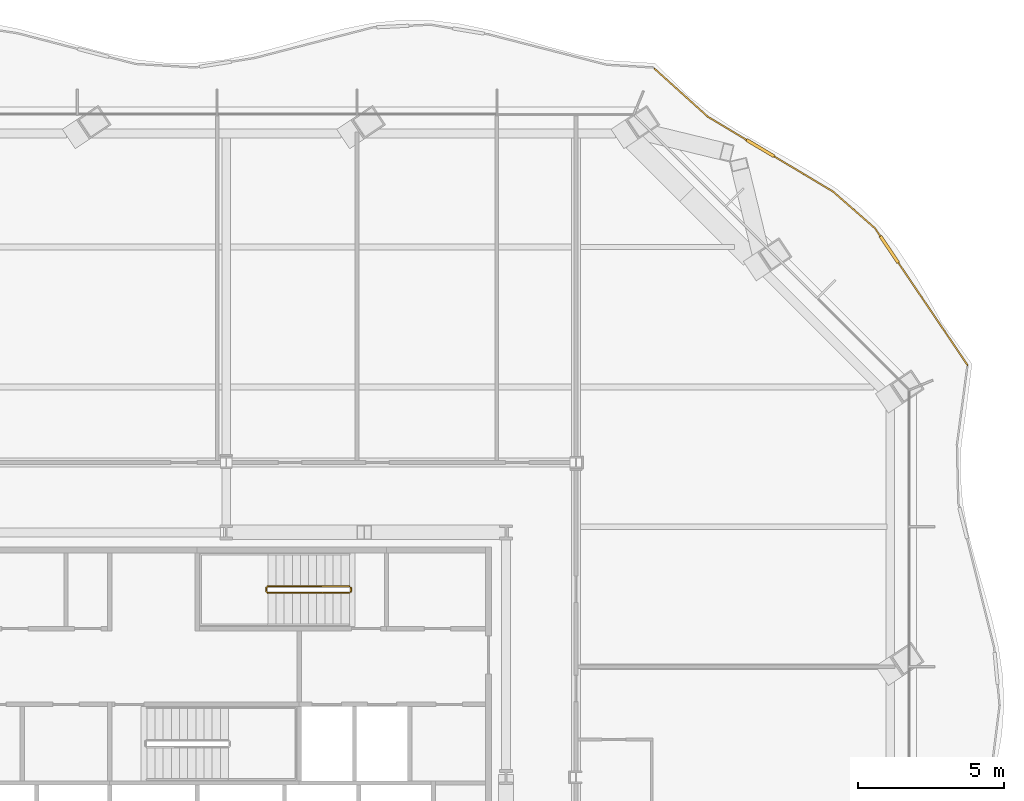
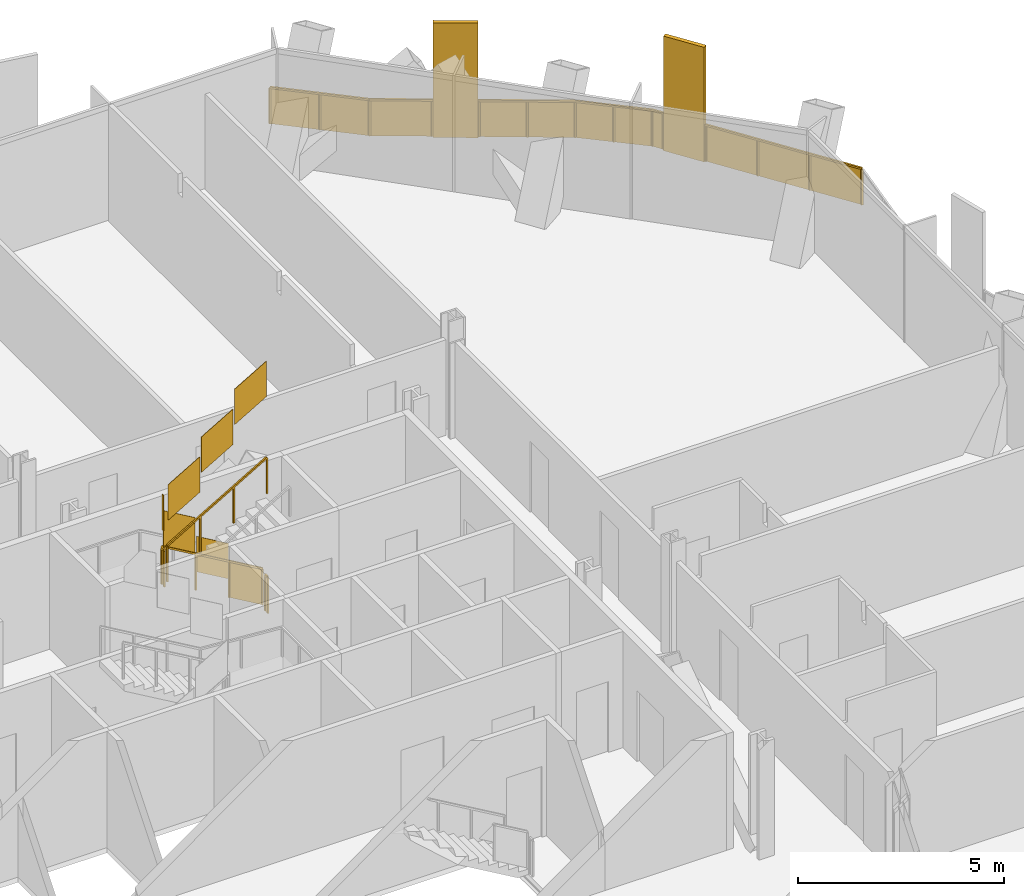
# One storey, part 19 of 19: 3 railings.
"""IFC4 building model written with IfcOpenShell, lengths in metres."""

from ifc_helpers import new_model, si_unit, direction, frame, origin, origin_2d, place, context, subcontext, project, spatial, polyline, rectangle, outline, extrude, material, type_object, element, save


model = new_model("IFC4")

# Units and contexts
model_context = context("Model", 3, precision=1e-05, world=origin(), true_north=direction((0.0, 1.0)))
body_context = subcontext(model_context, "Body", "Model", "MODEL_VIEW")
ifc_project = project(units=[si_unit("LENGTHUNIT", "METRE"), si_unit("AREAUNIT", "SQUARE_METRE"), si_unit("VOLUMEUNIT", "CUBIC_METRE"), si_unit("PLANEANGLEUNIT", "RADIAN"), si_unit("MASSUNIT", "GRAM", prefix="KILO")], contexts=[model_context])

# Site, building, storey
site_placement = place(None, origin())
site = spatial("IfcSite", under=ifc_project, at=site_placement, CompositionType="ELEMENT")
building_placement = place(site_placement, origin())
building = spatial("IfcBuilding", under=site, at=building_placement, Name="Cairn Pilgrim Tower", CompositionType="ELEMENT")
storey_placement = place(building_placement, frame((0.0, 0.0, 97.800048828125)))
storey = spatial("IfcBuildingStorey", under=building, at=storey_placement, Name="L23", CompositionType="ELEMENT", Elevation=97.800048828125)

# Railings
ifc_material_1 = material(Name="Bronze anodised aluminium rail, posts and fin screens with laminated glass infill", Category="aluminium")
railing_type_1 = type_object("IfcRailingType", Name="BALCONY GUARD WITH FIN SCREENS", PredefinedType="GUARDRAIL", material=ifc_material_1)
railing_1_placement = place(storey_placement, frame((32.63427734375, 16.54296875, 0.0)))
element("IfcRailing", 1, at=railing_1_placement, inside=storey, type_object=railing_type_1, Name="Balcony guard BGF-4 with fin screens", PredefinedType="GUARDRAIL", context=body_context, shape_type="SweptSolid", body=[
    extrude(rectangle(XDim=1.10009765625, YDim=0.110107421875, at=origin_2d()), frame((-2.681396484375, 3.964599609375, 0.0), z_axis=(0.0, 0.0, 1.0), x_axis=(-0.56022761993, 0.828338707213, 0.0)), (0.0, 0.0, 1.0), 3.39990234375),
    extrude(rectangle(XDim=0.050048828125, YDim=0.050048828125, at=origin_2d()), frame((0.0, 0.0, 1.0751953125), z_axis=(-0.56022761993, 0.828338707213, 0.0), x_axis=(-0.828338707213, -0.56022761993, 0.0)), (0.0, 0.0, 1.0), 4.236083984375),
    extrude(rectangle(XDim=0.050048828125, YDim=0.050048828125, at=origin_2d()), frame((-2.989501953125, 4.420166015625, 1.0751953125), z_axis=(-0.56022761993, 0.828338707213, 0.0), x_axis=(-0.828338707213, -0.56022761993, 0.0)), (0.0, 0.0, 1.0), 0.32861328125),
    extrude(rectangle(XDim=0.050048828125, YDim=0.050048828125, at=origin_2d()), frame((-3.173583984375, 4.6923828125, 1.0751953125), z_axis=(-0.75249754684, 0.658595051606, 0.0), x_axis=(-0.658595051606, -0.75249754684, 0.0)), (0.0, 0.0, 1.0), 1.910888671875),
    extrude(rectangle(XDim=1.10009765625, YDim=0.110107421875, at=origin_2d()), frame((-7.107666015625, 7.442138671875, 0.0), z_axis=(0.0, 0.0, 1.0), x_axis=(-0.858451928662, 0.512894030163, 0.0)), (0.0, 0.0, 1.0), 3.39990234375),
    extrude(rectangle(XDim=0.050048828125, YDim=0.050048828125, at=origin_2d()), frame((-4.611572265625, 5.950927734375, 1.0751953125), z_axis=(-0.858451928662, 0.512894030163, 0.0), x_axis=(-0.512894030163, -0.858451928662, 0.0)), (0.0, 0.0, 1.0), 2.357666015625),
    extrude(rectangle(XDim=0.050048828125, YDim=0.050048828125, at=origin_2d()), frame((-7.579833984375, 7.724365234375, 1.0751953125), z_axis=(-0.858451928662, 0.512894030163, 0.0), x_axis=(-0.512894030163, -0.858451928662, 0.0)), (0.0, 0.0, 1.0), 1.543701171875),
    extrude(rectangle(XDim=0.050048828125, YDim=0.050048828125, at=origin_2d()), frame((-8.905029296875, 8.51611328125, 1.0751953125), z_axis=(-0.742974523661, 0.669319697297, 0.0), x_axis=(-0.669319697297, -0.742974523661, 0.0)), (0.0, 0.0, 1.0), 2.469482421875),
    extrude(rectangle(XDim=0.050048828125, YDim=0.050048828125, at=origin_2d()), origin(), (0.0, 0.0, 1.0), 1.050048828125),
    extrude(rectangle(XDim=0.050048828125, YDim=0.050048828125, at=origin_2d()), frame((-0.786376953125, 1.162841796875, 0.0)), (0.0, 0.0, 1.0), 1.050048828125),
    extrude(rectangle(XDim=0.050048828125, YDim=0.050048828125, at=origin_2d()), frame((-1.57275390625, 2.325439453125, 0.0)), (0.0, 0.0, 1.0), 1.050048828125),
    extrude(rectangle(XDim=0.050048828125, YDim=0.050048828125, at=origin_2d()), frame((-2.359130859375, 3.48828125, 0.0)), (0.0, 0.0, 1.0), 1.050048828125),
    extrude(rectangle(XDim=0.050048828125, YDim=0.050048828125, at=origin_2d()), frame((-3.00341796875, 4.44091796875, 0.0)), (0.0, 0.0, 1.0), 1.050048828125),
    extrude(rectangle(XDim=0.050048828125, YDim=0.050048828125, at=origin_2d()), frame((-3.173583984375, 4.6923828125, 0.0)), (0.0, 0.0, 1.0), 1.050048828125),
    extrude(rectangle(XDim=0.050048828125, YDim=0.050048828125, at=origin_2d()), frame((-3.892578125, 5.32177734375, 0.0)), (0.0, 0.0, 1.0), 1.050048828125),
    extrude(rectangle(XDim=0.050048828125, YDim=0.050048828125, at=origin_2d()), frame((-4.611572265625, 5.950927734375, 0.0)), (0.0, 0.0, 1.0), 1.050048828125),
    extrude(rectangle(XDim=0.050048828125, YDim=0.050048828125, at=origin_2d()), frame((-5.61279296875, 6.549072265625, 0.0)), (0.0, 0.0, 1.0), 1.050048828125),
    extrude(rectangle(XDim=0.050048828125, YDim=0.050048828125, at=origin_2d()), frame((-6.614013671875, 7.147216796875, 0.0)), (0.0, 0.0, 1.0), 1.050048828125),
    extrude(rectangle(XDim=0.050048828125, YDim=0.050048828125, at=origin_2d()), frame((-7.601318359375, 7.737060546875, 0.0)), (0.0, 0.0, 1.0), 1.050048828125),
    extrude(rectangle(XDim=0.050048828125, YDim=0.050048828125, at=origin_2d()), frame((-8.905029296875, 8.51611328125, 0.0)), (0.0, 0.0, 1.0), 1.050048828125),
    extrude(rectangle(XDim=0.050048828125, YDim=0.050048828125, at=origin_2d()), frame((-9.822265625, 9.342529296875, 0.0)), (0.0, 0.0, 1.0), 1.050048828125),
    extrude(rectangle(XDim=0.050048828125, YDim=0.050048828125, at=origin_2d()), frame((-10.73974609375, 10.1689453125, 0.0)), (0.0, 0.0, 1.0), 1.050048828125),
    extrude(outline(polyline([(0.02490234375, 0.0), (1.378662109375, 0.0), (1.378662109375, 1.050048828125), (0.02490234375, 1.050048828125), (0.02490234375, 0.0)])), frame((-0.0048828125, -0.00341796875, 0.0), z_axis=(0.828338707213, 0.56022761993, 0.0), x_axis=(-0.56022761993, 0.828338707213, 0.0)), (0.0, 0.0, 1.0), 0.011962890625),
    extrude(outline(polyline([(0.02490234375, 0.0), (1.378662109375, 0.0), (1.378662109375, 1.050048828125), (0.02490234375, 1.050048828125), (0.02490234375, 0.0)])), frame((-0.791259765625, 1.159423828125, 0.0), z_axis=(0.828338707213, 0.56022761993, 0.0), x_axis=(-0.56022761993, 0.828338707213, 0.0)), (0.0, 0.0, 1.0), 0.011962890625),
    extrude(outline(polyline([(0.02490234375, 0.0), (1.378662109375, 0.0), (1.378662109375, 1.050048828125), (0.02490234375, 1.050048828125), (0.02490234375, 0.0)])), frame((-1.57763671875, 2.322021484375, 0.0), z_axis=(0.828338707213, 0.56022761993, 0.0), x_axis=(-0.56022761993, 0.828338707213, 0.0)), (0.0, 0.0, 1.0), 0.011962890625),
    extrude(outline(polyline([(0.02490234375, 0.0), (0.278564453125, 0.0), (0.278564453125, 1.050048828125), (0.02490234375, 1.050048828125), (0.02490234375, 0.0)])), frame((-3.00830078125, 4.4375, 0.0), z_axis=(0.828338707213, 0.56022761993, 0.0), x_axis=(-0.56022761993, 0.828338707213, 0.0)), (0.0, 0.0, 1.0), 0.011962890625),
    extrude(outline(polyline([(0.02490234375, 0.0), (0.930419921875, 0.0), (0.930419921875, 1.050048828125), (0.02490234375, 1.050048828125), (0.02490234375, 0.0)])), frame((-3.177490234375, 4.68798828125, 0.0), z_axis=(0.658595051606, 0.75249754684, 0.0), x_axis=(-0.75249754684, 0.658595051606, 0.0)), (0.0, 0.0, 1.0), 0.011962890625),
    extrude(outline(polyline([(0.02490234375, 0.0), (0.930419921875, 0.0), (0.930419921875, 1.050048828125), (0.02490234375, 1.050048828125), (0.02490234375, 0.0)])), frame((-3.896484375, 5.317138671875, 0.0), z_axis=(0.658595051606, 0.75249754684, 0.0), x_axis=(-0.75249754684, 0.658595051606, 0.0)), (0.0, 0.0, 1.0), 0.011962890625),
    extrude(outline(polyline([(0.02490234375, 0.0), (1.141357421875, 0.0), (1.141357421875, 1.050048828125), (0.02490234375, 1.050048828125), (0.02490234375, 0.0)])), frame((-4.61474609375, 5.94580078125, 0.0), z_axis=(0.512894030163, 0.858451928662, 0.0), x_axis=(-0.858451928662, 0.512894030163, 0.0)), (0.0, 0.0, 1.0), 0.011962890625),
    extrude(outline(polyline([(0.02490234375, 0.0), (1.141357421875, 0.0), (1.141357421875, 1.050048828125), (0.02490234375, 1.050048828125), (0.02490234375, 0.0)])), frame((-5.615966796875, 6.5439453125, 0.0), z_axis=(0.512894030163, 0.858451928662, 0.0), x_axis=(-0.858451928662, 0.512894030163, 0.0)), (0.0, 0.0, 1.0), 0.011962890625),
    extrude(outline(polyline([(0.02490234375, 0.0), (1.49365234375, 0.0), (1.49365234375, 1.050048828125), (0.02490234375, 1.050048828125), (0.02490234375, 0.0)])), frame((-7.604248046875, 7.73193359375, 0.0), z_axis=(0.512894030163, 0.858451928662, 0.0), x_axis=(-0.858451928662, 0.512894030163, 0.0)), (0.0, 0.0, 1.0), 0.011962890625),
    extrude(outline(polyline([(0.02490234375, 0.0), (1.209716796875, 0.0), (1.209716796875, 1.050048828125), (0.02490234375, 1.050048828125), (0.02490234375, 0.0)])), frame((-8.908935546875, 8.51171875, 0.0), z_axis=(0.669319697297, 0.742974523661, 0.0), x_axis=(-0.742974523661, 0.669319697297, 0.0)), (0.0, 0.0, 1.0), 0.011962890625),
    extrude(outline(polyline([(0.02490234375, 0.0), (1.209716796875, 0.0), (1.209716796875, 1.050048828125), (0.02490234375, 1.050048828125), (0.02490234375, 0.0)])), frame((-9.826416015625, 9.338134765625, 0.0), z_axis=(0.669319697297, 0.742974523661, 0.0), x_axis=(-0.742974523661, 0.669319697297, 0.0)), (0.0, 0.0, 1.0), 0.011962890625),
])
ifc_material_2 = material(Name="Painted steel", Category="steel")
railing_type_2 = type_object("IfcRailingType", Name="STAIR GUARD 1100", PredefinedType="GUARDRAIL", material=ifc_material_2)
railing_2_placement = place(storey_placement, frame((11.425048828125, 8.949951171875, 0.16357421875)))
element("IfcRailing", 2, at=railing_2_placement, inside=storey, type_object=railing_type_2, Name="L23 ST-C stair guard 1", PredefinedType="GUARDRAIL", context=body_context, shape_type="SweptSolid", body=[
    extrude(rectangle(XDim=0.048095703125, YDim=0.048095703125, at=origin_2d()), frame((0.0, 0.0, 1.076171875), z_axis=(-0.863360870873, 0.0, 0.504586966384), x_axis=(0.0, -1.0, 0.0)), (0.0, 0.0, 1.0), 3.2431640625),
    extrude(rectangle(XDim=0.048095703125, YDim=0.048095703125, at=origin_2d()), frame((-2.800048828125, 0.0, 2.71240234375), z_axis=(-0.707106781187, -0.707106781187, 0.0), x_axis=(0.707106781187, -0.707106781187, 0.0)), (0.0, 0.0, 1.0), 0.07080078125),
    extrude(rectangle(XDim=0.048095703125, YDim=0.048095703125, at=origin_2d()), frame((-2.85009765625, -0.050048828125, 2.71240234375), z_axis=(0.0, -1.0, 0.0), x_axis=(1.0, 0.0, 0.0)), (0.0, 0.0, 1.0), 0.125),
    extrude(rectangle(XDim=0.048095703125, YDim=0.048095703125, at=origin_2d()), frame((-2.85009765625, -0.175048828125, 2.71240234375), z_axis=(0.280916556609, -0.279546231943, 0.91811752648), x_axis=(0.705375805398, 0.708833529934, 0.0)), (0.0, 0.0, 1.0), 0.17822265625),
    extrude(rectangle(XDim=0.048095703125, YDim=0.048095703125, at=origin_2d()), frame((-2.800048828125, -0.224853515625, 2.8759765625), z_axis=(0.863393664356, 0.0, 0.504530851732), x_axis=(0.0, 1.0, 0.0)), (0.0, 0.0, 1.0), 3.2431640625),
    extrude(rectangle(XDim=0.0419921875, YDim=0.0419921875, at=origin_2d()), origin(), (0.0, 0.0, 1.0), 1.052001953125),
    extrude(rectangle(XDim=0.0419921875, YDim=0.0419921875, at=origin_2d()), frame((-0.933349609375, 0.0, 0.54541015625)), (0.0, 0.0, 1.0), 1.052001953125),
    extrude(rectangle(XDim=0.0419921875, YDim=0.0419921875, at=origin_2d()), frame((-1.86669921875, 0.0, 1.091064453125)), (0.0, 0.0, 1.0), 1.052001953125),
    extrude(rectangle(XDim=0.0419921875, YDim=0.0419921875, at=origin_2d()), frame((-2.800048828125, 0.0, 1.636474609375)), (0.0, 0.0, 1.0), 1.052001953125),
    extrude(rectangle(XDim=0.0419921875, YDim=0.0419921875, at=origin_2d()), frame((-2.85009765625, -0.050048828125, 1.636474609375)), (0.0, 0.0, 1.0), 1.052001953125),
    extrude(rectangle(XDim=0.0419921875, YDim=0.0419921875, at=origin_2d()), frame((-2.85009765625, -0.175048828125, 1.636474609375)), (0.0, 0.0, 1.0), 1.052001953125),
    extrude(rectangle(XDim=0.0419921875, YDim=0.0419921875, at=origin_2d()), frame((-2.800048828125, -0.224853515625, 1.800048828125)), (0.0, 0.0, 1.0), 1.052001953125),
    extrude(rectangle(XDim=0.0419921875, YDim=0.0419921875, at=origin_2d()), frame((-1.86669921875, -0.224853515625, 2.345458984375)), (0.0, 0.0, 1.0), 1.052001953125),
    extrude(rectangle(XDim=0.0419921875, YDim=0.0419921875, at=origin_2d()), frame((-0.933349609375, -0.224853515625, 2.890869140625)), (0.0, 0.0, 1.0), 1.052001953125),
    extrude(rectangle(XDim=0.0419921875, YDim=0.0419921875, at=origin_2d()), frame((0.0, -0.224853515625, 3.436279296875)), (0.0, 0.0, 1.0), 1.052001953125),
    extrude(outline(polyline([(0.02099609375, 0.01220703125), (0.912353515625, 0.533203125), (0.912353515625, 1.585205078125), (0.02099609375, 1.064208984375), (0.02099609375, 0.01220703125)])), frame((0.0, -0.005859375, 0.0), z_axis=(0.0, 1.0, 0.0), x_axis=(-1.0, 0.0, 0.0)), (0.0, 0.0, 1.0), 0.011962890625),
    extrude(outline(polyline([(0.02099609375, 0.557861328125), (0.912353515625, 1.07861328125), (0.912353515625, 2.130615234375), (0.02099609375, 1.60986328125), (0.02099609375, 0.557861328125)])), frame((-0.933349609375, -0.005859375, 0.54541015625), z_axis=(0.0, 1.0, 0.0), x_axis=(-1.0, 0.0, 0.0)), (0.0, 0.0, 1.0), 0.011962890625),
    extrude(outline(polyline([(0.02099609375, 1.103271484375), (0.912353515625, 1.624267578125), (0.912353515625, 2.67626953125), (0.02099609375, 2.1552734375), (0.02099609375, 1.103271484375)])), frame((-1.86669921875, -0.005859375, 1.091064453125), z_axis=(0.0, 1.0, 0.0), x_axis=(-1.0, 0.0, 0.0)), (0.0, 0.0, 1.0), 0.011962890625),
    extrude(outline(polyline([(0.02099609375, 1.636474609375), (0.10400390625, 1.636474609375), (0.10400390625, 2.6884765625), (0.02099609375, 2.6884765625), (0.02099609375, 1.636474609375)])), frame((-2.84423828125, -0.050048828125, 1.636474609375), z_axis=(-1.0, 0.0, 0.0), x_axis=(0.0, -1.0, 0.0)), (0.0, 0.0, 1.0), 0.011962890625),
    extrude(outline(polyline([(0.02099609375, 1.812255859375), (0.912353515625, 2.333251953125), (0.912353515625, 3.38525390625), (0.02099609375, 2.8642578125), (0.02099609375, 1.812255859375)])), frame((-2.800048828125, -0.21875, 1.800048828125), z_axis=(0.0, -1.0, 0.0), x_axis=(1.0, 0.0, 0.0)), (0.0, 0.0, 1.0), 0.011962890625),
    extrude(outline(polyline([(0.02099609375, 2.357666015625), (0.912353515625, 2.878662109375), (0.912353515625, 3.9306640625), (0.02099609375, 3.40966796875), (0.02099609375, 2.357666015625)])), frame((-1.86669921875, -0.21875, 2.345458984375), z_axis=(0.0, -1.0, 0.0), x_axis=(1.0, 0.0, 0.0)), (0.0, 0.0, 1.0), 0.011962890625),
    extrude(outline(polyline([(0.02099609375, 2.903076171875), (0.912353515625, 3.424072265625), (0.912353515625, 4.47607421875), (0.02099609375, 3.955078125), (0.02099609375, 2.903076171875)])), frame((-0.933349609375, -0.21875, 2.890869140625), z_axis=(0.0, -1.0, 0.0), x_axis=(1.0, 0.0, 0.0)), (0.0, 0.0, 1.0), 0.011962890625),
])
railing_3_placement = place(storey_placement, frame((11.47509765625, 8.89990234375, 0.0)))
element("IfcRailing", 3, at=railing_3_placement, inside=storey, type_object=railing_type_2, Name="L23 ST-C stair guard 2", PredefinedType="GUARDRAIL", context=body_context, shape_type="SweptSolid", body=[
    extrude(rectangle(XDim=0.048095703125, YDim=0.048095703125, at=origin_2d()), frame((0.0, 0.0, 1.076171875), z_axis=(0.0, -1.0, 0.0), x_axis=(1.0, 0.0, 0.0)), (0.0, 0.0, 1.0), 0.125),
    extrude(rectangle(XDim=0.0419921875, YDim=0.0419921875, at=origin_2d()), origin(), (0.0, 0.0, 1.0), 1.052001953125),
    extrude(rectangle(XDim=0.0419921875, YDim=0.0419921875, at=origin_2d()), frame((0.0, -0.125, 0.0)), (0.0, 0.0, 1.0), 1.052001953125),
    extrude(outline(polyline([(0.02099609375, 0.0), (0.10400390625, 0.0), (0.10400390625, 1.052001953125), (0.02099609375, 1.052001953125), (0.02099609375, 0.0)])), frame((0.005859375, 0.0, 0.0), z_axis=(-1.0, 0.0, 0.0), x_axis=(0.0, -1.0, 0.0)), (0.0, 0.0, 1.0), 0.011962890625),
])

save(model, "model.ifc")
